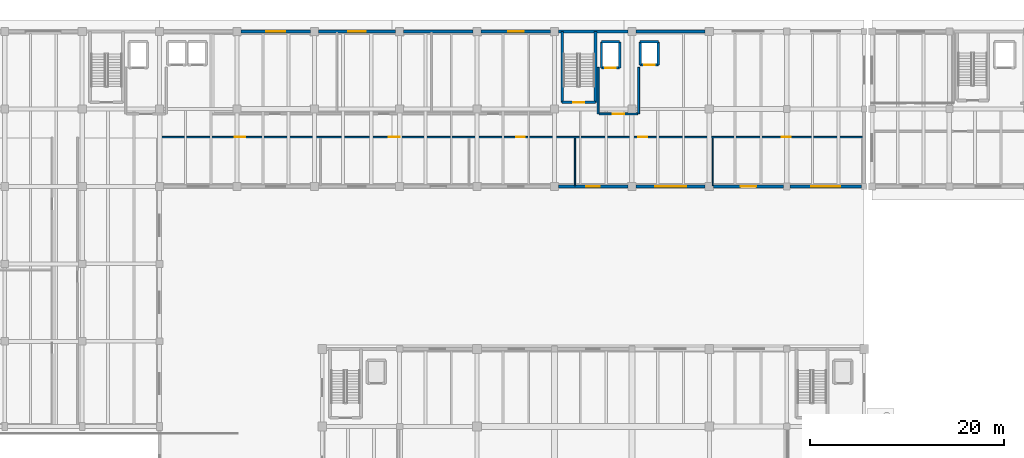
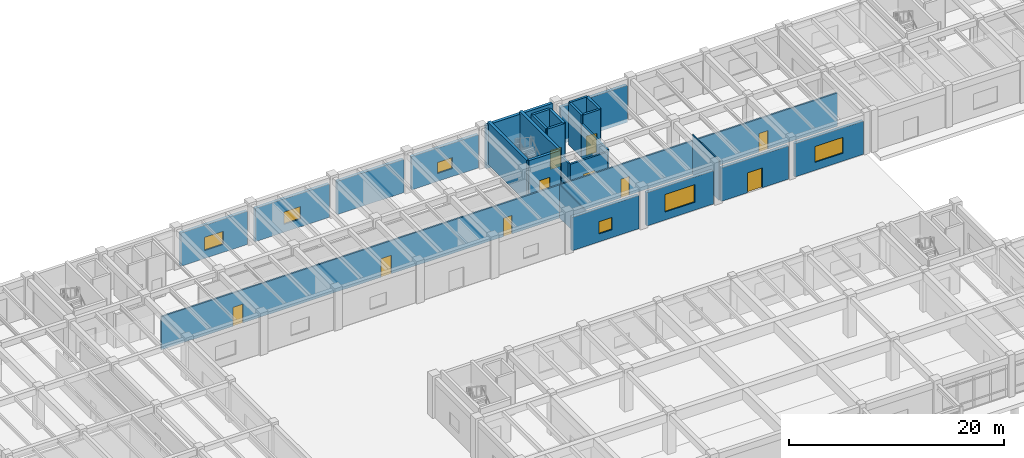
# One storey, part 40 of 64: 27 walls, 10 doors, 6 windows, 16 openings.
"""IFC4 building model written with IfcOpenShell, lengths in metres."""

from ifc_helpers import new_model, si_unit, direction, frame, frame_2d, origin, place, context, subcontext, project, spatial, rectangle, extrude, material, layer, layer_set, type_object, element, fill, save


model = new_model("IFC4")

# Units and contexts
model_context = context("Model", 3, precision=1e-05, world=origin(), true_north=direction((0.0, 1.0)))
body_context = subcontext(model_context, "Body", "Model", "MODEL_VIEW")
ifc_project = project(units=[si_unit("LENGTHUNIT", "METRE"), si_unit("AREAUNIT", "SQUARE_METRE"), si_unit("VOLUMEUNIT", "CUBIC_METRE"), si_unit("PLANEANGLEUNIT", "RADIAN"), si_unit("MASSUNIT", "GRAM", prefix="KILO")], contexts=[model_context])

# Site, building, storey
site_placement = place(None, origin())
site = spatial("IfcSite", under=ifc_project, at=site_placement, CompositionType="ELEMENT")
building_placement = place(site_placement, origin())
building = spatial("IfcBuilding", under=site, at=building_placement, Name="Tlaxcora Railside Police Headquarters", CompositionType="ELEMENT")
storey_placement = place(building_placement, origin())
storey = spatial("IfcBuildingStorey", under=building, at=storey_placement, Name="L00", CompositionType="ELEMENT", Elevation=0.0)

# Walls
ifc_material_1 = material(Name="Gypsum acoustic partition board")
ifc_layer_1 = layer(ifc_material_1, 0.1201171875, Name="Gypsum acoustic partition board")
ifc_layer_set_1 = layer_set([ifc_layer_1], Name="Gypsum acoustic partition board")
wall_type_1 = type_object("IfcWallType", Name="Interior Partition Wall IW-37", PredefinedType="PARTITIONING", material=ifc_layer_set_1)
wall_1_placement = place(storey_placement, frame((86.364013671875, 76.8798828125, 0.0), z_axis=(0.0, 0.0, 1.0), x_axis=(0.0, 1.0, 0.0)))
element("IfcWall", 1, at=wall_1_placement, inside=storey, type_object=wall_type_1, Name="V5 L00 interior partition 60", PredefinedType="PARTITIONING", context=body_context, shape_type="SweptSolid", body=[
    extrude(rectangle(XDim=4.920166015625, YDim=0.1201171875, at=frame_2d((2.4599609375, 0.0))), origin(), (0.0, 0.0, 1.0), 4.530029296875),
])
ifc_layer_2 = layer(ifc_material_1, 0.1298828125, Name="Gypsum acoustic partition board")
ifc_layer_set_2 = layer_set([ifc_layer_2], Name="Gypsum acoustic partition board")
wall_type_2 = type_object("IfcWallType", Name="Interior Partition Wall IW-40", PredefinedType="PARTITIONING", material=ifc_layer_set_2)
wall_2_placement = place(storey_placement, frame((72.123046875, 76.8798828125, 0.0), z_axis=(0.0, 0.0, 1.0), x_axis=(0.0, 1.0, 0.0)))
element("IfcWall", 2, at=wall_2_placement, inside=storey, type_object=wall_type_2, Name="V5 L00 interior partition 59", PredefinedType="PARTITIONING", context=body_context, shape_type="SweptSolid", body=[
    extrude(rectangle(XDim=4.920166015625, YDim=0.1298828125, at=frame_2d((2.4599609375, 0.0))), origin(), (0.0, 0.0, 1.0), 3.764892578125),
])

# Wall, opening, door
ifc_material_2 = material(Name="Pressed clay brick masonry", Category="masonry")
ifc_layer_3 = layer(ifc_material_2, 0.199951171875, Name="Pressed clay brick masonry")
ifc_layer_set_3 = layer_set([ifc_layer_3], Name="Pressed clay brick masonry")
wall_type_3 = type_object("IfcWallType", Name="Interior Partition Wall IW-60", PredefinedType="PARTITIONING", material=ifc_layer_set_3)
wall_3_placement = place(storey_placement, frame((74.60009765625, 84.300048828125, 0.0), z_axis=(0.0, 0.0, 1.0), x_axis=(1.0, 0.0, 0.0)))
wall_3 = element("IfcWall", 3, at=wall_3_placement, inside=storey, type_object=wall_type_3, Name="V5 L00 interior partition 24", PredefinedType="PARTITIONING", context=body_context, shape_type="SweptSolid", body=[
    extrude(rectangle(XDim=4.0, YDim=0.199951171875, at=frame_2d((2.0, 0.0))), origin(), (0.0, 0.0, 1.0), 3.764892578125),
])
opening_1_placement = place(wall_3_placement, frame((1.39990234375, 0.0, 0.0)))
opening_1 = element("IfcOpeningElement", 4, at=opening_1_placement, cuts=wall_3, Name="Opening D-L00-078", PredefinedType="OPENING", context=body_context, shape_type="SweptSolid", body=[
    extrude(rectangle(XDim=1.199951171875, YDim=2.14990234375, at=frame_2d((0.60009765625, 1.074951171875))), frame((0.0, 0.10986328125, 0.0), z_axis=(0.0, -1.0, 0.0), x_axis=(1.0, 0.0, 0.0)), (0.0, 0.0, 1.0), 0.219970703125),
])
ifc_material_3 = material(Name="Steel ASTM A992 Grade 50", Category="steel")
door_type_1 = type_object("IfcDoorType", Name="Swing or Sliding Personnel Door ID-14", OperationType="NOTDEFINED", PredefinedType="DOOR", material=ifc_material_3)
door_1_placement = place(opening_1_placement, origin())
door_1 = element("IfcDoor", 5, at=door_1_placement, inside=storey, type_object=door_type_1, Name="V5 L00 door D-L00-078", OperationType="DOUBLE_DOOR_SINGLE_SWING", OverallHeight=2.14990234375, OverallWidth=1.199951171875, PredefinedType="DOOR", context=body_context, shape_type="SweptSolid", body=[
    extrude(rectangle(XDim=1.199951171875, YDim=2.14990234375, at=frame_2d((0.60009765625, 1.074951171875))), frame((0.0, 0.02490234375, 0.0), z_axis=(0.0, -1.0, 0.0), x_axis=(1.0, 0.0, 0.0)), (0.0, 0.0, 1.0), 0.050048828125),
])
fill(opening_1, door_1)

# Walls
wall_4_placement = place(storey_placement, frame((74.5, 84.300048828125, 0.0), z_axis=(0.0, 0.0, 1.0), x_axis=(0.0, 1.0, 0.0)))
element("IfcWall", 6, at=wall_4_placement, inside=storey, type_object=wall_type_3, Name="V5 L00 interior partition 25", PredefinedType="PARTITIONING", context=body_context, shape_type="SweptSolid", body=[
    extrude(rectangle(XDim=4.800048828125, YDim=0.199951171875, at=frame_2d((2.39990234375, 0.0))), origin(), (0.0, 0.0, 1.0), 3.9150390625),
])
wall_5_placement = place(storey_placement, frame((78.699951171875, 84.300048828125, 0.0), z_axis=(0.0, 0.0, 1.0), x_axis=(0.0, 1.0, 0.0)))
element("IfcWall", 7, at=wall_5_placement, inside=storey, type_object=wall_type_3, Name="V5 L00 interior partition 26", PredefinedType="PARTITIONING", context=body_context, shape_type="SweptSolid", body=[
    extrude(rectangle(XDim=4.800048828125, YDim=0.199951171875, at=frame_2d((2.39990234375, 0.0))), origin(), (0.0, 0.0, 1.0), 3.965087890625),
])

# Wall, openings, doors
ifc_layer_4 = layer(ifc_material_1, 0.159912109375, Name="Gypsum acoustic partition board")
ifc_layer_set_4 = layer_set([ifc_layer_4], Name="Gypsum acoustic partition board")
wall_type_4 = type_object("IfcWallType", Name="Interior Partition Wall IW-73", PredefinedType="PARTITIONING", material=ifc_layer_set_4)
wall_6_placement = place(storey_placement, frame((29.300048828125, 81.89990234375, 0.0), z_axis=(0.0, 0.0, 1.0), x_axis=(1.0, 0.0, 0.0)))
wall_6 = element("IfcWall", 8, at=wall_6_placement, inside=storey, type_object=wall_type_4, Name="V5 L00 interior partition 61", PredefinedType="PARTITIONING", context=body_context, shape_type="SweptSolid", body=[
    extrude(rectangle(XDim=72.619873046875, YDim=0.159912109375, at=frame_2d((36.31005859375, 0.0))), origin(), (0.0, 0.0, 1.0), 3.764892578125),
])
opening_2_placement = place(wall_6_placement, frame((7.679931640625, 0.0, 0.0)))
opening_2 = element("IfcOpeningElement", 9, at=opening_2_placement, cuts=wall_6, Name="Opening D-L00-107", PredefinedType="OPENING", context=body_context, shape_type="SweptSolid", body=[
    extrude(rectangle(XDim=1.080078125, YDim=2.139892578125, at=frame_2d((0.5400390625, 1.06982421875))), frame((0.0, 0.08984375, 0.0), z_axis=(0.0, -1.0, 0.0), x_axis=(1.0, 0.0, 0.0)), (0.0, 0.0, 1.0), 0.179931640625),
])
opening_3_placement = place(wall_6_placement, frame((23.60009765625, 0.0, 0.0)))
opening_3 = element("IfcOpeningElement", 10, at=opening_3_placement, cuts=wall_6, Name="Opening D-L00-108", PredefinedType="OPENING", context=body_context, shape_type="SweptSolid", body=[
    extrude(rectangle(XDim=1.10009765625, YDim=2.10009765625, at=frame_2d((0.550048828125, 1.050048828125))), frame((0.0, 0.08984375, 0.0), z_axis=(0.0, -1.0, 0.0), x_axis=(1.0, 0.0, 0.0)), (0.0, 0.0, 1.0), 0.179931640625),
])
opening_4_placement = place(wall_6_placement, frame((36.75, 0.0, 0.0)))
opening_4 = element("IfcOpeningElement", 11, at=opening_4_placement, cuts=wall_6, Name="Opening D-L00-109", PredefinedType="OPENING", context=body_context, shape_type="SweptSolid", body=[
    extrude(rectangle(XDim=0.89990234375, YDim=2.10009765625, at=frame_2d((0.449951171875, 1.050048828125))), frame((0.0, 0.08984375, 0.0), z_axis=(0.0, -1.0, 0.0), x_axis=(1.0, 0.0, 0.0)), (0.0, 0.0, 1.0), 0.179931640625),
])
opening_5_placement = place(wall_6_placement, frame((49.340087890625, 0.0, 0.0)))
opening_5 = element("IfcOpeningElement", 12, at=opening_5_placement, cuts=wall_6, Name="Opening D-L00-110", PredefinedType="OPENING", context=body_context, shape_type="SweptSolid", body=[
    extrude(rectangle(XDim=0.919921875, YDim=2.10009765625, at=frame_2d((0.4599609375, 1.050048828125))), frame((0.0, 0.08984375, 0.0), z_axis=(0.0, -1.0, 0.0), x_axis=(1.0, 0.0, 0.0)), (0.0, 0.0, 1.0), 0.179931640625),
])
opening_6_placement = place(wall_6_placement, frame((64.169921875, 0.0, 0.0)))
opening_6 = element("IfcOpeningElement", 13, at=opening_6_placement, cuts=wall_6, Name="Opening D-L00-111", PredefinedType="OPENING", context=body_context, shape_type="SweptSolid", body=[
    extrude(rectangle(XDim=0.949951171875, YDim=2.10009765625, at=frame_2d((0.47509765625, 1.050048828125))), frame((0.0, 0.08984375, 0.0), z_axis=(0.0, -1.0, 0.0), x_axis=(1.0, 0.0, 0.0)), (0.0, 0.0, 1.0), 0.179931640625),
])
door_type_2 = type_object("IfcDoorType", Name="Swing or Sliding Personnel Door ID-20", OperationType="NOTDEFINED", PredefinedType="DOOR", material=ifc_material_3)
door_2_placement = place(opening_2_placement, origin())
door_2 = element("IfcDoor", 14, at=door_2_placement, inside=storey, type_object=door_type_2, Name="V5 L00 door D-L00-107", OperationType="SINGLE_SWING_RIGHT", OverallHeight=2.139892578125, OverallWidth=1.080078125, PredefinedType="DOOR", context=body_context, shape_type="SweptSolid", body=[
    extrude(rectangle(XDim=1.080078125, YDim=2.139892578125, at=frame_2d((0.5400390625, 1.06982421875))), frame((0.0, 0.02490234375, 0.0), z_axis=(0.0, -1.0, 0.0), x_axis=(1.0, 0.0, 0.0)), (0.0, 0.0, 1.0), 0.050048828125),
])
fill(opening_2, door_2)
door_type_3 = type_object("IfcDoorType", Name="Swing or Sliding Personnel Door ID-33", OperationType="NOTDEFINED", PredefinedType="DOOR", material=ifc_material_3)
door_3_placement = place(opening_4_placement, origin())
door_3 = element("IfcDoor", 15, at=door_3_placement, inside=storey, type_object=door_type_3, Name="V5 L00 door D-L00-109", OperationType="SINGLE_SWING_RIGHT", OverallHeight=2.10009765625, OverallWidth=0.89990234375, PredefinedType="DOOR", context=body_context, shape_type="SweptSolid", body=[
    extrude(rectangle(XDim=0.89990234375, YDim=2.10009765625, at=frame_2d((0.449951171875, 1.050048828125))), frame((0.0, 0.02490234375, 0.0), z_axis=(0.0, -1.0, 0.0), x_axis=(1.0, 0.0, 0.0)), (0.0, 0.0, 1.0), 0.050048828125),
])
fill(opening_4, door_3)
door_type_4 = type_object("IfcDoorType", Name="Swing or Sliding Personnel Door ID-49", OperationType="NOTDEFINED", PredefinedType="DOOR", material=ifc_material_3)
door_4_placement = place(opening_5_placement, origin())
door_4 = element("IfcDoor", 16, at=door_4_placement, inside=storey, type_object=door_type_4, Name="V5 L00 door D-L00-110", OperationType="SINGLE_SWING_LEFT", OverallHeight=2.10009765625, OverallWidth=0.919921875, PredefinedType="DOOR", context=body_context, shape_type="SweptSolid", body=[
    extrude(rectangle(XDim=0.919921875, YDim=2.10009765625, at=frame_2d((0.4599609375, 1.050048828125))), frame((0.0, 0.02490234375, 0.0), z_axis=(0.0, -1.0, 0.0), x_axis=(1.0, 0.0, 0.0)), (0.0, 0.0, 1.0), 0.050048828125),
])
fill(opening_5, door_4)
door_type_5 = type_object("IfcDoorType", Name="Swing or Sliding Personnel Door ID-66", OperationType="NOTDEFINED", PredefinedType="DOOR", material=ifc_material_3)
door_5_placement = place(opening_3_placement, origin())
door_5 = element("IfcDoor", 17, at=door_5_placement, inside=storey, type_object=door_type_5, Name="V5 L00 door D-L00-108", OperationType="SINGLE_SWING_LEFT", OverallHeight=2.10009765625, OverallWidth=1.10009765625, PredefinedType="DOOR", context=body_context, shape_type="SweptSolid", body=[
    extrude(rectangle(XDim=1.10009765625, YDim=2.10009765625, at=frame_2d((0.550048828125, 1.050048828125))), frame((0.0, 0.02490234375, 0.0), z_axis=(0.0, -1.0, 0.0), x_axis=(1.0, 0.0, 0.0)), (0.0, 0.0, 1.0), 0.050048828125),
])
fill(opening_3, door_5)
door_type_6 = type_object("IfcDoorType", Name="Swing or Sliding Personnel Door ID-87", OperationType="NOTDEFINED", PredefinedType="DOOR", material=ifc_material_3)
door_6_placement = place(opening_6_placement, origin())
door_6 = element("IfcDoor", 18, at=door_6_placement, inside=storey, type_object=door_type_6, Name="V5 L00 door D-L00-111", OperationType="SINGLE_SWING_RIGHT", OverallHeight=2.10009765625, OverallWidth=0.949951171875, PredefinedType="DOOR", context=body_context, shape_type="SweptSolid", body=[
    extrude(rectangle(XDim=0.949951171875, YDim=2.10009765625, at=frame_2d((0.47509765625, 1.050048828125))), frame((0.0, 0.02490234375, 0.0), z_axis=(0.0, -1.0, 0.0), x_axis=(1.0, 0.0, 0.0)), (0.0, 0.0, 1.0), 0.050048828125),
])
fill(opening_6, door_6)

# Wall, opening, door
ifc_material_4 = material(Name="Concrete C40/50", Category="concrete")
ifc_layer_5 = layer(ifc_material_4, 0.25, Name="Concrete C40/50")
ifc_layer_set_5 = layer_set([ifc_layer_5], Name="Concrete C40/50")
wall_type_5 = type_object("IfcWallType", Name="Shear Core Wall IW-13", PredefinedType="SHEAR", material=ifc_layer_set_5)
wall_7_placement = place(storey_placement, frame((74.860107421875, 89.06005859375, 0.0), z_axis=(0.0, 0.0, 1.0), x_axis=(1.0, 0.0, 0.0)))
wall_7 = element("IfcWall", 19, at=wall_7_placement, inside=storey, type_object=wall_type_5, Name="Lift FFL-02 L00 shaft wall S", PredefinedType="SHEAR", context=body_context, shape_type="SweptSolid", body=[
    extrude(rectangle(XDim=1.8798828125, YDim=0.25, at=frame_2d((0.93994140625, 0.0))), origin(), (0.0, 0.0, 1.0), 4.800048828125),
])
opening_7_placement = place(wall_7_placement, frame((0.389892578125, 0.0, 0.0)))
opening_7 = element("IfcOpeningElement", 20, at=opening_7_placement, cuts=wall_7, Name="Opening LD-FFL-02-L00", PredefinedType="OPENING", context=body_context, shape_type="SweptSolid", body=[
    extrude(rectangle(XDim=1.10009765625, YDim=2.199951171875, at=frame_2d((0.550048828125, 1.10009765625))), frame((0.0, 0.135009765625, 0.0), z_axis=(0.0, -1.0, 0.0), x_axis=(1.0, 0.0, 0.0)), (0.0, 0.0, 1.0), 0.27001953125),
])
door_type_7 = type_object("IfcDoorType", Name="Swing or Sliding Personnel Door ID-15", OperationType="NOTDEFINED", PredefinedType="DOOR", material=ifc_material_3)
door_7_placement = place(opening_7_placement, origin())
door_7 = element("IfcDoor", 21, at=door_7_placement, inside=storey, type_object=door_type_7, Name="Lift FFL-02 L00 sliding landing door", OperationType="DOUBLE_DOOR_SLIDING", OverallHeight=2.199951171875, OverallWidth=1.10009765625, PredefinedType="DOOR", context=body_context, shape_type="SweptSolid", body=[
    extrude(rectangle(XDim=1.10009765625, YDim=2.199951171875, at=frame_2d((0.550048828125, 1.10009765625))), frame((0.0, 0.02490234375, 0.0), z_axis=(0.0, -1.0, 0.0), x_axis=(1.0, 0.0, 0.0)), (0.0, 0.0, 1.0), 0.050048828125),
])
fill(opening_7, door_7)

# Walls
wall_8_placement = place(storey_placement, frame((76.739990234375, 89.06005859375, 0.0), z_axis=(0.0, 0.0, 1.0), x_axis=(0.0, 1.0, 0.0)))
element("IfcWall", 22, at=wall_8_placement, inside=storey, type_object=wall_type_5, Name="Lift FFL-02 L00 shaft wall E", PredefinedType="SHEAR", context=body_context, shape_type="SweptSolid", body=[
    extrude(rectangle(XDim=2.679931640625, YDim=0.25, at=frame_2d((1.33984375, 0.0))), origin(), (0.0, 0.0, 1.0), 4.800048828125),
])
wall_9_placement = place(storey_placement, frame((76.739990234375, 91.739990234375, 0.0), z_axis=(0.0, 0.0, 1.0), x_axis=(-1.0, 0.0, 0.0)))
element("IfcWall", 23, at=wall_9_placement, inside=storey, type_object=wall_type_5, Name="Lift FFL-02 L00 shaft wall N", PredefinedType="SHEAR", context=body_context, shape_type="SweptSolid", body=[
    extrude(rectangle(XDim=1.8798828125, YDim=0.25, at=frame_2d((0.93994140625, 0.0))), origin(), (0.0, 0.0, 1.0), 4.800048828125),
])
wall_10_placement = place(storey_placement, frame((74.860107421875, 91.739990234375, 0.0), z_axis=(0.0, 0.0, 1.0), x_axis=(0.0, -1.0, 0.0)))
element("IfcWall", 24, at=wall_10_placement, inside=storey, type_object=wall_type_5, Name="Lift FFL-02 L00 shaft wall W", PredefinedType="SHEAR", context=body_context, shape_type="SweptSolid", body=[
    extrude(rectangle(XDim=2.679931640625, YDim=0.25, at=frame_2d((1.33984375, 0.0))), origin(), (0.0, 0.0, 1.0), 4.800048828125),
])

# Wall, opening, door
wall_11_placement = place(storey_placement, frame((78.860107421875, 89.360107421875, 0.0), z_axis=(0.0, 0.0, 1.0), x_axis=(1.0, 0.0, 0.0)))
wall_11 = element("IfcWall", 25, at=wall_11_placement, inside=storey, type_object=wall_type_5, Name="Lift PL-03 L00 shaft wall S", PredefinedType="SHEAR", context=body_context, shape_type="SweptSolid", body=[
    extrude(rectangle(XDim=1.8798828125, YDim=0.25, at=frame_2d((0.93994140625, 0.0))), origin(), (0.0, 0.0, 1.0), 4.800048828125),
])
opening_8_placement = place(wall_11_placement, frame((0.389892578125, 0.0, 0.0)))
opening_8 = element("IfcOpeningElement", 26, at=opening_8_placement, cuts=wall_11, Name="Opening LD-PL-03-L00", PredefinedType="OPENING", context=body_context, shape_type="SweptSolid", body=[
    extrude(rectangle(XDim=1.10009765625, YDim=2.199951171875, at=frame_2d((0.550048828125, 1.10009765625))), frame((0.0, 0.135009765625, 0.0), z_axis=(0.0, -1.0, 0.0), x_axis=(1.0, 0.0, 0.0)), (0.0, 0.0, 1.0), 0.27001953125),
])
door_8_placement = place(opening_8_placement, origin())
door_8 = element("IfcDoor", 27, at=door_8_placement, inside=storey, type_object=door_type_7, Name="Lift PL-03 L00 sliding landing door", OperationType="DOUBLE_DOOR_SLIDING", OverallHeight=2.199951171875, OverallWidth=1.10009765625, PredefinedType="DOOR", context=body_context, shape_type="SweptSolid", body=[
    extrude(rectangle(XDim=1.10009765625, YDim=2.199951171875, at=frame_2d((0.550048828125, 1.10009765625))), frame((0.0, 0.02490234375, 0.0), z_axis=(0.0, -1.0, 0.0), x_axis=(1.0, 0.0, 0.0)), (0.0, 0.0, 1.0), 0.050048828125),
])
fill(opening_8, door_8)

# Walls
wall_12_placement = place(storey_placement, frame((80.739990234375, 89.360107421875, 0.0), z_axis=(0.0, 0.0, 1.0), x_axis=(0.0, 1.0, 0.0)))
element("IfcWall", 28, at=wall_12_placement, inside=storey, type_object=wall_type_5, Name="Lift PL-03 L00 shaft wall E", PredefinedType="SHEAR", context=body_context, shape_type="SweptSolid", body=[
    extrude(rectangle(XDim=2.3798828125, YDim=0.25, at=frame_2d((1.18994140625, 0.0))), origin(), (0.0, 0.0, 1.0), 4.800048828125),
])
wall_13_placement = place(storey_placement, frame((80.739990234375, 91.739990234375, 0.0), z_axis=(0.0, 0.0, 1.0), x_axis=(-1.0, 0.0, 0.0)))
element("IfcWall", 29, at=wall_13_placement, inside=storey, type_object=wall_type_5, Name="Lift PL-03 L00 shaft wall N", PredefinedType="SHEAR", context=body_context, shape_type="SweptSolid", body=[
    extrude(rectangle(XDim=1.8798828125, YDim=0.25, at=frame_2d((0.93994140625, 0.0))), origin(), (0.0, 0.0, 1.0), 4.800048828125),
])
wall_14_placement = place(storey_placement, frame((78.860107421875, 91.739990234375, 0.0), z_axis=(0.0, 0.0, 1.0), x_axis=(0.0, -1.0, 0.0)))
element("IfcWall", 30, at=wall_14_placement, inside=storey, type_object=wall_type_5, Name="Lift PL-03 L00 shaft wall W", PredefinedType="SHEAR", context=body_context, shape_type="SweptSolid", body=[
    extrude(rectangle(XDim=2.3798828125, YDim=0.25, at=frame_2d((1.18994140625, 0.0))), origin(), (0.0, 0.0, 1.0), 4.800048828125),
])

# Wall, opening, door
ifc_layer_6 = layer(ifc_material_4, 0.300048828125, Name="Concrete C40/50")
ifc_layer_set_6 = layer_set([ifc_layer_6], Name="Concrete C40/50")
wall_type_6 = type_object("IfcWallType", Name="Shear Core Wall IW-28", PredefinedType="SHEAR", material=ifc_layer_set_6)
wall_15_placement = place(storey_placement, frame((70.800048828125, 85.5, 0.0), z_axis=(0.0, 0.0, 1.0), x_axis=(1.0, 0.0, 0.0)))
wall_15 = element("IfcWall", 31, at=wall_15_placement, inside=storey, type_object=wall_type_6, Name="CORE-C2 L00 stair core wall S", PredefinedType="SHEAR", context=body_context, shape_type="SweptSolid", body=[
    extrude(rectangle(XDim=3.419921875, YDim=0.300048828125, at=frame_2d((1.7099609375, 0.0))), origin(), (0.0, 0.0, 1.0), 4.800048828125),
])
opening_9_placement = place(wall_15_placement, frame((1.135009765625, 0.0, 0.0)))
opening_9 = element("IfcOpeningElement", 32, at=opening_9_placement, cuts=wall_15, Name="Opening SD-L00-011", PredefinedType="OPENING", context=body_context, shape_type="SweptSolid", body=[
    extrude(rectangle(XDim=1.14990234375, YDim=2.14990234375, at=frame_2d((0.574951171875, 1.074951171875))), frame((0.0, 0.16015625, 0.0), z_axis=(0.0, -1.0, 0.0), x_axis=(1.0, 0.0, 0.0)), (0.0, 0.0, 1.0), 0.320068359375),
])
door_type_8 = type_object("IfcDoorType", Name="Swing or Sliding Personnel Door ID-73", OperationType="NOTDEFINED", PredefinedType="DOOR", material=ifc_material_3)
door_9_placement = place(opening_9_placement, origin())
door_9 = element("IfcDoor", 33, at=door_9_placement, inside=storey, type_object=door_type_8, Name="Stair ST2 L00 enclosure fire door", OperationType="SINGLE_SWING_LEFT", OverallHeight=2.14990234375, OverallWidth=1.14990234375, PredefinedType="DOOR", context=body_context, shape_type="SweptSolid", body=[
    extrude(rectangle(XDim=1.14990234375, YDim=2.14990234375, at=frame_2d((0.574951171875, 1.074951171875))), frame((0.0, 0.02490234375, 0.0), z_axis=(0.0, -1.0, 0.0), x_axis=(1.0, 0.0, 0.0)), (0.0, 0.0, 1.0), 0.050048828125),
])
fill(opening_9, door_9)

# Walls
for number, where, z_axis, x_axis, name in (
    (34, (74.219970703125, 85.5, 0.0), (0.0, 0.0, 1.0), (0.0, 1.0, 0.0), "CORE-C2 L00 stair core wall E"),
    (35, (70.800048828125, 92.800048828125, 0.0), (0.0, 0.0, 1.0), (0.0, -1.0, 0.0), "CORE-C2 L00 stair core wall W"),
):
    element("IfcWall", number, at=place(storey_placement, frame(where, z_axis=z_axis, x_axis=x_axis)), inside=storey, type_object=wall_type_6, Name=name, PredefinedType="SHEAR", context=body_context, shape_type="SweptSolid", body=[
        extrude(rectangle(XDim=7.300048828125, YDim=0.300048828125, at=frame_2d((3.64990234375, 0.0))), origin(), (0.0, 0.0, 1.0), 4.800048828125),
    ])

# Wall, opening, window
ifc_material_5 = material(Name="Volcanic basalt ashlar masonry", Category="masonry")
ifc_layer_7 = layer(ifc_material_5, 0.31494140625, Name="Volcanic basalt ashlar masonry")
ifc_layer_set_7 = layer_set([ifc_layer_7], Name="Volcanic basalt ashlar masonry")
wall_type_7 = type_object("IfcWallType", Name="Structural Bearing Wall EW-25", PredefinedType="SOLIDWALL", material=ifc_layer_set_7)
wall_16_placement = place(storey_placement, frame((70.425048828125, 76.800048828125, 0.0), z_axis=(0.0, 0.0, 1.0), x_axis=(1.0, 0.0, 0.0)))
wall_16 = element("IfcWall", 36, at=wall_16_placement, inside=storey, type_object=wall_type_7, Name="V5 L00 exterior wall 2.5", PredefinedType="SOLIDWALL", context=body_context, shape_type="SweptSolid", body=[
    extrude(rectangle(XDim=7.14990234375, YDim=0.31494140625, at=frame_2d((3.574951171875, 0.0))), origin(), (0.0, 0.0, 1.0), 3.780029296875),
])
opening_10_placement = place(wall_16_placement, frame((2.875, 0.0, 0.89990234375)))
opening_10 = element("IfcOpeningElement", 37, at=opening_10_placement, cuts=wall_16, Name="Opening WN-22", PredefinedType="OPENING", context=body_context, shape_type="SweptSolid", body=[
    extrude(rectangle(XDim=1.39990234375, YDim=1.39990234375, at=frame_2d((0.699951171875, 0.699951171875))), frame((0.0, 0.16748046875, 0.0), z_axis=(0.0, -1.0, 0.0), x_axis=(1.0, 0.0, 0.0)), (0.0, 0.0, 1.0), 0.3349609375),
])
ifc_material_6 = material(Name="Thermally broken low-E insulated glazing", Category="glass")
window_type_1 = type_object("IfcWindowType", Name="Exterior Framed or Circular Window WN-22", PartitioningType="SINGLE_PANEL", PredefinedType="WINDOW", material=ifc_material_6)
window_1_placement = place(opening_10_placement, origin())
window_1 = element("IfcWindow", 38, at=window_1_placement, inside=storey, type_object=window_type_1, Name="V5 L00 window 99", OverallHeight=1.39990234375, OverallWidth=1.39990234375, PartitioningType="SINGLE_PANEL", PredefinedType="WINDOW", context=body_context, shape_type="SweptSolid", body=[
    extrude(rectangle(XDim=1.39990234375, YDim=1.39990234375, at=frame_2d((0.699951171875, 0.699951171875))), frame((0.0, 0.030029296875, 0.0), z_axis=(0.0, -1.0, 0.0), x_axis=(1.0, 0.0, 0.0)), (0.0, 0.0, 1.0), 0.06005859375),
])
fill(opening_10, window_1)

wall_17_placement = place(storey_placement, frame((78.425048828125, 76.800048828125, 0.0), z_axis=(0.0, 0.0, 1.0), x_axis=(1.0, 0.0, 0.0)))
wall_17 = element("IfcWall", 39, at=wall_17_placement, inside=storey, type_object=wall_type_7, Name="V5 L00 exterior wall 2.6", PredefinedType="SOLIDWALL", context=body_context, shape_type="SweptSolid", body=[
    extrude(rectangle(XDim=7.14990234375, YDim=0.31494140625, at=frame_2d((3.574951171875, 0.0))), origin(), (0.0, 0.0, 1.0), 3.780029296875),
])
opening_11_placement = place(wall_17_placement, frame((1.97509765625, 0.0, 0.89990234375)))
opening_11 = element("IfcOpeningElement", 40, at=opening_11_placement, cuts=wall_17, Name="Opening WN-64", PredefinedType="OPENING", context=body_context, shape_type="SweptSolid", body=[
    extrude(rectangle(XDim=3.199951171875, YDim=2.0, at=frame_2d((1.60009765625, 1.0))), frame((0.0, 0.16748046875, 0.0), z_axis=(0.0, -1.0, 0.0), x_axis=(1.0, 0.0, 0.0)), (0.0, 0.0, 1.0), 0.3349609375),
])
window_type_2 = type_object("IfcWindowType", Name="Exterior Framed or Circular Window WN-64", PartitioningType="SINGLE_PANEL", PredefinedType="WINDOW", material=ifc_material_6)
window_2_placement = place(opening_11_placement, origin())
window_2 = element("IfcWindow", 41, at=window_2_placement, inside=storey, type_object=window_type_2, Name="V5 L00 window 100", OverallHeight=2.0, OverallWidth=3.199951171875, PartitioningType="SINGLE_PANEL", PredefinedType="WINDOW", context=body_context, shape_type="SweptSolid", body=[
    extrude(rectangle(XDim=3.199951171875, YDim=2.0, at=frame_2d((1.60009765625, 1.0))), frame((0.0, 0.030029296875, 0.0), z_axis=(0.0, -1.0, 0.0), x_axis=(1.0, 0.0, 0.0)), (0.0, 0.0, 1.0), 0.06005859375),
])
fill(opening_11, window_2)

# Wall, opening, door
wall_18_placement = place(storey_placement, frame((86.425048828125, 76.800048828125, 0.0), z_axis=(0.0, 0.0, 1.0), x_axis=(1.0, 0.0, 0.0)))
wall_18 = element("IfcWall", 42, at=wall_18_placement, inside=storey, type_object=wall_type_7, Name="V5 L00 exterior wall 2.7", PredefinedType="SOLIDWALL", context=body_context, shape_type="SweptSolid", body=[
    extrude(rectangle(XDim=7.224853515625, YDim=0.31494140625, at=frame_2d((3.6123046875, 0.0))), origin(), (0.0, 0.0, 1.0), 3.780029296875),
])
opening_12_placement = place(wall_18_placement, frame((2.8125, 0.0, 0.0)))
opening_12 = element("IfcOpeningElement", 43, at=opening_12_placement, cuts=wall_18, Name="Opening E-07", PredefinedType="OPENING", context=body_context, shape_type="SweptSolid", body=[
    extrude(rectangle(XDim=1.60009765625, YDim=2.25, at=frame_2d((0.800048828125, 1.125))), frame((0.0, 0.16748046875, 0.0), z_axis=(0.0, -1.0, 0.0), x_axis=(1.0, 0.0, 0.0)), (0.0, 0.0, 1.0), 0.3349609375),
])
ifc_material_7 = material(Name="Anodised aluminium framing", Category="aluminium")
door_type_9 = type_object("IfcDoorType", Name="Swing or Sliding Personnel Door ED-85", OperationType="NOTDEFINED", PredefinedType="DOOR", material=ifc_material_7)
door_10_placement = place(opening_12_placement, frame((1.60009765625, 0.0, 0.0), z_axis=(0.0, 0.0, 1.0), x_axis=(-1.0, 0.0, 0.0)))
door_10 = element("IfcDoor", 44, at=door_10_placement, inside=storey, type_object=door_type_9, Name="Operations east courtyard exit E-07", OperationType="DOUBLE_DOOR_SINGLE_SWING", OverallHeight=2.25, OverallWidth=1.60009765625, PredefinedType="DOOR", context=body_context, shape_type="SweptSolid", body=[
    extrude(rectangle(XDim=1.60009765625, YDim=2.25, at=frame_2d((0.800048828125, 1.125))), frame((0.0, 0.02490234375, 0.0), z_axis=(0.0, -1.0, 0.0), x_axis=(1.0, 0.0, 0.0)), (0.0, 0.0, 1.0), 0.050048828125),
])
fill(opening_12, door_10)

# Wall, opening, window
wall_19_placement = place(storey_placement, frame((94.35009765625, 76.800048828125, 0.0), z_axis=(0.0, 0.0, 1.0), x_axis=(1.0, 0.0, 0.0)))
wall_19 = element("IfcWall", 45, at=wall_19_placement, inside=storey, type_object=wall_type_7, Name="V5 L00 exterior wall 2.8", PredefinedType="SOLIDWALL", context=body_context, shape_type="SweptSolid", body=[
    extrude(rectangle(XDim=7.349853515625, YDim=0.31494140625, at=frame_2d((3.6748046875, 0.0))), origin(), (0.0, 0.0, 1.0), 3.780029296875),
])
opening_13_placement = place(wall_19_placement, frame((2.175048828125, 0.0, 0.89990234375)))
opening_13 = element("IfcOpeningElement", 46, at=opening_13_placement, cuts=wall_19, Name="Opening WN-93", PredefinedType="OPENING", context=body_context, shape_type="SweptSolid", body=[
    extrude(rectangle(XDim=3.0, YDim=1.800048828125, at=frame_2d((1.5, 0.89990234375))), frame((0.0, 0.16748046875, 0.0), z_axis=(0.0, -1.0, 0.0), x_axis=(1.0, 0.0, 0.0)), (0.0, 0.0, 1.0), 0.3349609375),
])
window_type_3 = type_object("IfcWindowType", Name="Exterior Framed or Circular Window WN-93", PartitioningType="SINGLE_PANEL", PredefinedType="WINDOW", material=ifc_material_6)
window_3_placement = place(opening_13_placement, origin())
window_3 = element("IfcWindow", 47, at=window_3_placement, inside=storey, type_object=window_type_3, Name="V5 L00 window 101", OverallHeight=1.800048828125, OverallWidth=3.0, PartitioningType="SINGLE_PANEL", PredefinedType="WINDOW", context=body_context, shape_type="SweptSolid", body=[
    extrude(rectangle(XDim=3.0, YDim=1.800048828125, at=frame_2d((1.5, 0.89990234375))), frame((0.0, 0.030029296875, 0.0), z_axis=(0.0, -1.0, 0.0), x_axis=(1.0, 0.0, 0.0)), (0.0, 0.0, 1.0), 0.06005859375),
])
fill(opening_13, window_3)

# Walls
wall_20_placement = place(storey_placement, frame((85.574951171875, 92.800048828125, -0.419921875), z_axis=(0.0, 0.0, 1.0), x_axis=(-1.0, 0.0, 0.0)))
element("IfcWall", 48, at=wall_20_placement, inside=storey, type_object=wall_type_7, Name="V5 L00 exterior wall 4.2", PredefinedType="SOLIDWALL", context=body_context, shape_type="SweptSolid", body=[
    extrude(rectangle(XDim=7.14990234375, YDim=0.31494140625, at=frame_2d((3.574951171875, 0.0))), origin(), (0.0, 0.0, 1.0), 4.199951171875),
])
wall_21_placement = place(storey_placement, frame((77.574951171875, 92.800048828125, -0.419921875), z_axis=(0.0, 0.0, 1.0), x_axis=(-1.0, 0.0, 0.0)))
element("IfcWall", 49, at=wall_21_placement, inside=storey, type_object=wall_type_7, Name="V5 L00 exterior wall 4.3", PredefinedType="SOLIDWALL", context=body_context, shape_type="SweptSolid", body=[
    extrude(rectangle(XDim=7.14990234375, YDim=0.31494140625, at=frame_2d((3.574951171875, 0.0))), origin(), (0.0, 0.0, 1.0), 4.949951171875),
])

# Wall, opening, window
wall_22_placement = place(storey_placement, frame((69.574951171875, 92.800048828125, 0.0), z_axis=(0.0, 0.0, 1.0), x_axis=(-1.0, 0.0, 0.0)))
wall_22 = element("IfcWall", 50, at=wall_22_placement, inside=storey, type_object=wall_type_7, Name="V5 L00 exterior wall 4.4", PredefinedType="SOLIDWALL", context=body_context, shape_type="SweptSolid", body=[
    extrude(rectangle(XDim=7.14990234375, YDim=0.31494140625, at=frame_2d((3.574951171875, 0.0))), origin(), (0.0, 0.0, 1.0), 3.780029296875),
])
opening_14_placement = place(wall_22_placement, frame((2.77490234375, 0.0, 0.89990234375)))
opening_14 = element("IfcOpeningElement", 51, at=opening_14_placement, cuts=wall_22, Name="Opening WN-63", PredefinedType="OPENING", context=body_context, shape_type="SweptSolid", body=[
    extrude(rectangle(XDim=1.60009765625, YDim=1.25, at=frame_2d((0.800048828125, 0.625))), frame((0.0, 0.16748046875, 0.0), z_axis=(0.0, -1.0, 0.0), x_axis=(1.0, 0.0, 0.0)), (0.0, 0.0, 1.0), 0.3349609375),
])
window_type_4 = type_object("IfcWindowType", Name="Exterior Framed or Circular Window WN-63", PartitioningType="SINGLE_PANEL", PredefinedType="WINDOW", material=ifc_material_6)
window_4_placement = place(opening_14_placement, origin())
window_4 = element("IfcWindow", 52, at=window_4_placement, inside=storey, type_object=window_type_4, Name="V5 L00 window 105", OverallHeight=1.25, OverallWidth=1.60009765625, PartitioningType="SINGLE_PANEL", PredefinedType="WINDOW", context=body_context, shape_type="SweptSolid", body=[
    extrude(rectangle(XDim=1.60009765625, YDim=1.25, at=frame_2d((0.800048828125, 0.625))), frame((0.0, 0.030029296875, 0.0), z_axis=(0.0, -1.0, 0.0), x_axis=(1.0, 0.0, 0.0)), (0.0, 0.0, 1.0), 0.06005859375),
])
fill(opening_14, window_4)

# Wall
wall_23_placement = place(storey_placement, frame((61.574951171875, 92.800048828125, 0.0), z_axis=(0.0, 0.0, 1.0), x_axis=(-1.0, 0.0, 0.0)))
element("IfcWall", 53, at=wall_23_placement, inside=storey, type_object=wall_type_7, Name="V5 L00 exterior wall 4.5", PredefinedType="SOLIDWALL", context=body_context, shape_type="SweptSolid", body=[
    extrude(rectangle(XDim=7.14990234375, YDim=0.31494140625, at=frame_2d((3.574951171875, 0.0))), origin(), (0.0, 0.0, 1.0), 3.780029296875),
])

# Wall, opening, window
wall_24_placement = place(storey_placement, frame((53.574951171875, 92.800048828125, 0.0), z_axis=(0.0, 0.0, 1.0), x_axis=(-1.0, 0.0, 0.0)))
wall_24 = element("IfcWall", 54, at=wall_24_placement, inside=storey, type_object=wall_type_7, Name="V5 L00 exterior wall 4.6", PredefinedType="SOLIDWALL", context=body_context, shape_type="SweptSolid", body=[
    extrude(rectangle(XDim=7.949951171875, YDim=0.31494140625, at=frame_2d((3.97509765625, 0.0))), origin(), (0.0, 0.0, 1.0), 3.780029296875),
])
opening_15_placement = place(wall_24_placement, frame((3.074951171875, 0.0, 0.89990234375)))
opening_15 = element("IfcOpeningElement", 55, at=opening_15_placement, cuts=wall_24, Name="Opening WN-70", PredefinedType="OPENING", context=body_context, shape_type="SweptSolid", body=[
    extrude(rectangle(XDim=1.800048828125, YDim=1.39990234375, at=frame_2d((0.89990234375, 0.699951171875))), frame((0.0, 0.16748046875, 0.0), z_axis=(0.0, -1.0, 0.0), x_axis=(1.0, 0.0, 0.0)), (0.0, 0.0, 1.0), 0.3349609375),
])
window_type_5 = type_object("IfcWindowType", Name="Exterior Framed or Circular Window WN-70", PartitioningType="SINGLE_PANEL", PredefinedType="WINDOW", material=ifc_material_6)
window_5_placement = place(opening_15_placement, origin())
window_5 = element("IfcWindow", 56, at=window_5_placement, inside=storey, type_object=window_type_5, Name="V5 L00 window 106", OverallHeight=1.39990234375, OverallWidth=1.800048828125, PartitioningType="SINGLE_PANEL", PredefinedType="WINDOW", context=body_context, shape_type="SweptSolid", body=[
    extrude(rectangle(XDim=1.800048828125, YDim=1.39990234375, at=frame_2d((0.89990234375, 0.699951171875))), frame((0.0, 0.030029296875, 0.0), z_axis=(0.0, -1.0, 0.0), x_axis=(1.0, 0.0, 0.0)), (0.0, 0.0, 1.0), 0.06005859375),
])
fill(opening_15, window_5)

wall_25_placement = place(storey_placement, frame((44.77490234375, 92.800048828125, 0.0), z_axis=(0.0, 0.0, 1.0), x_axis=(-1.0, 0.0, 0.0)))
wall_25 = element("IfcWall", 57, at=wall_25_placement, inside=storey, type_object=wall_type_7, Name="V5 L00 exterior wall 4.7", PredefinedType="SOLIDWALL", context=body_context, shape_type="SweptSolid", body=[
    extrude(rectangle(XDim=7.14990234375, YDim=0.31494140625, at=frame_2d((3.574951171875, 0.0))), origin(), (0.0, 0.0, 1.0), 3.780029296875),
])
opening_16_placement = place(wall_25_placement, frame((2.574951171875, 0.0, 0.89990234375)))
opening_16 = element("IfcOpeningElement", 58, at=opening_16_placement, cuts=wall_25, Name="Opening WN-42", PredefinedType="OPENING", context=body_context, shape_type="SweptSolid", body=[
    extrude(rectangle(XDim=2.0, YDim=1.5, at=frame_2d((1.0, 0.75))), frame((0.0, 0.16748046875, 0.0), z_axis=(0.0, -1.0, 0.0), x_axis=(1.0, 0.0, 0.0)), (0.0, 0.0, 1.0), 0.3349609375),
])
window_type_6 = type_object("IfcWindowType", Name="Exterior Framed or Circular Window WN-42", PartitioningType="SINGLE_PANEL", PredefinedType="WINDOW", material=ifc_material_6)
window_6_placement = place(opening_16_placement, origin())
window_6 = element("IfcWindow", 59, at=window_6_placement, inside=storey, type_object=window_type_6, Name="V5 L00 window 107", OverallHeight=1.5, OverallWidth=2.0, PartitioningType="SINGLE_PANEL", PredefinedType="WINDOW", context=body_context, shape_type="SweptSolid", body=[
    extrude(rectangle(XDim=2.0, YDim=1.5, at=frame_2d((1.0, 0.75))), frame((0.0, 0.030029296875, 0.0), z_axis=(0.0, -1.0, 0.0), x_axis=(1.0, 0.0, 0.0)), (0.0, 0.0, 1.0), 0.06005859375),
])
fill(opening_16, window_6)

save(model, "model.ifc")
